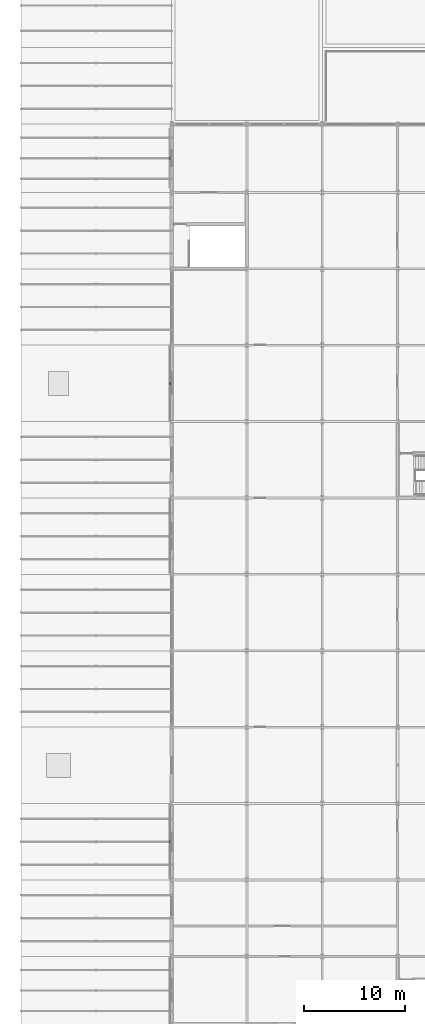
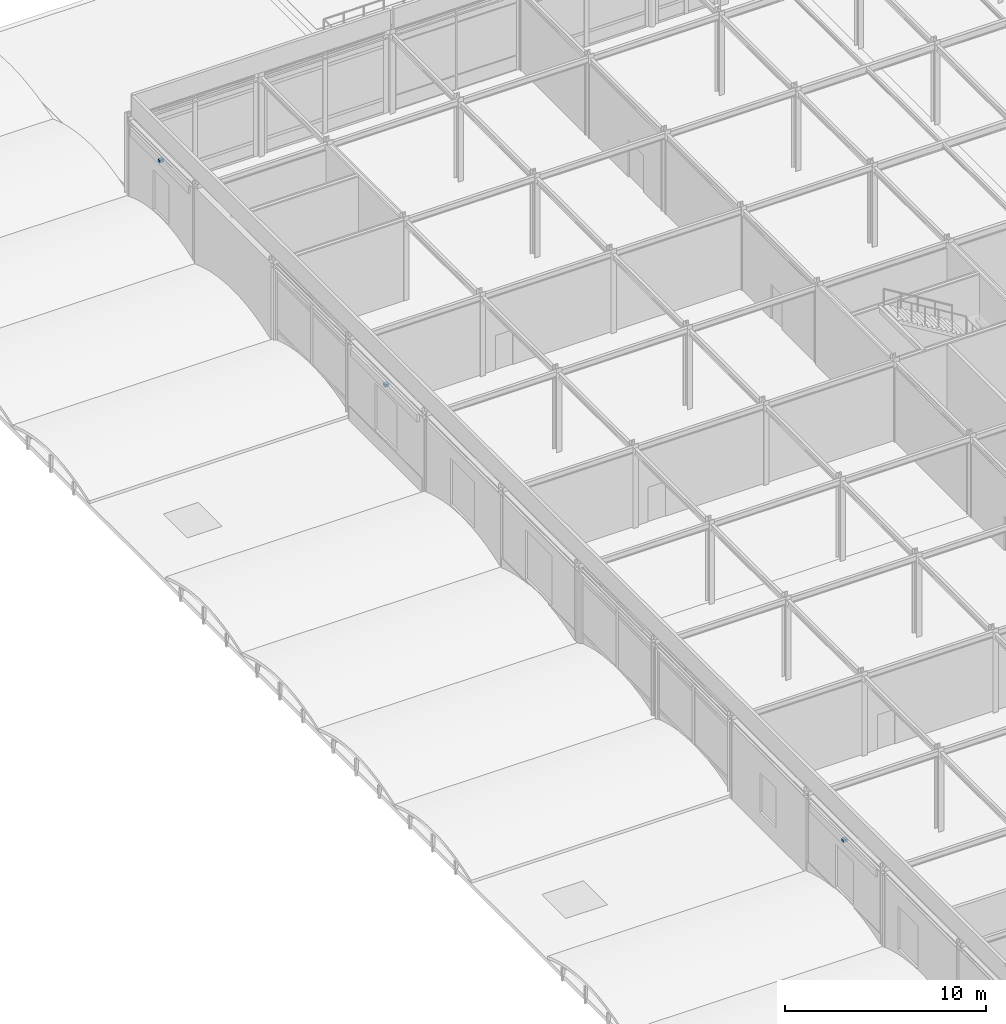
# One storey, part 106 of 113: 3 discrete accessories.
"""IFC4 building model written with IfcOpenShell, lengths in metres."""

from ifc_helpers import new_model, si_unit, direction, frame, origin, origin_2d, place, context, subcontext, project, spatial, rectangle, extrude, material, type_object, element, save


model = new_model("IFC4")

# Units and contexts
model_context = context("Model", 3, precision=1e-05, world=origin(), true_north=direction((0.0, 1.0)))
body_context = subcontext(model_context, "Body", "Model", "MODEL_VIEW")
ifc_project = project(units=[si_unit("LENGTHUNIT", "METRE"), si_unit("AREAUNIT", "SQUARE_METRE"), si_unit("VOLUMEUNIT", "CUBIC_METRE"), si_unit("PLANEANGLEUNIT", "RADIAN"), si_unit("MASSUNIT", "GRAM", prefix="KILO")], contexts=[model_context])

# Site, building, storey
site_placement = place(None, origin())
site = spatial("IfcSite", under=ifc_project, at=site_placement, CompositionType="ELEMENT")
building_placement = place(site_placement, origin())
building = spatial("IfcBuilding", under=site, at=building_placement, Name="Shalkamar Park Central Library", CompositionType="ELEMENT")
storey_placement = place(building_placement, frame((0.0, 0.0, 5.39990234375)))
storey = spatial("IfcBuildingStorey", under=building, at=storey_placement, Name="L02", CompositionType="ELEMENT", Elevation=5.39990234375)

# Discrete accessories
ifc_material = material(Name="Steel S355", Category="steel")
discrete_accessory_type = type_object("IfcDiscreteAccessoryType", Name="Stainless Facade Bracket", PredefinedType="BRACKET", material=ifc_material)
for number, where, z_axis, x_axis, name in (
    (1, (134.85498046875, 266.60009765625, 4.27294921875), (0.0, 0.0, 1.0), (1.0, 0.0, 0.0), "Frieze Fixing Bracket L02-029"),
    (2, (134.85498046875, 312.199951171875, 4.27294921875), (0.0, 0.0, 1.0), (1.0, 0.0, 0.0), "Frieze Fixing Bracket L02-030"),
    (3, (134.85498046875, 334.60009765625, 4.31298828125), (0.0, 0.0, 1.0), (1.0, 0.0, 0.0), "Frieze Fixing Bracket L02-031"),
):
    element("IfcDiscreteAccessory", number, at=place(storey_placement, frame(where, z_axis=z_axis, x_axis=x_axis)), inside=storey, type_object=discrete_accessory_type, Name=name, PredefinedType="BRACKET", context=body_context, shape_type="SweptSolid", body=[
        extrude(rectangle(XDim=0.219970703125, YDim=0.219970703125, at=origin_2d()), origin(), (0.0, 0.0, 1.0), 0.159912109375),
    ])

save(model, "model.ifc")
